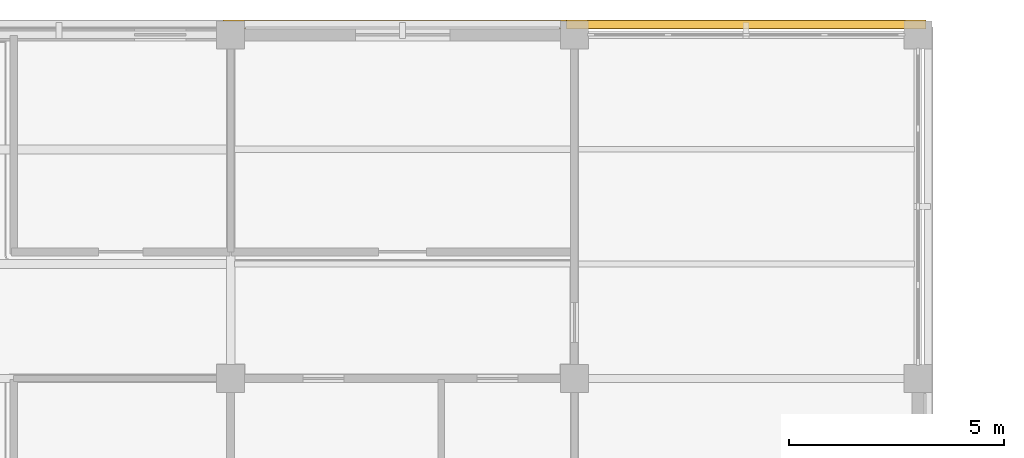
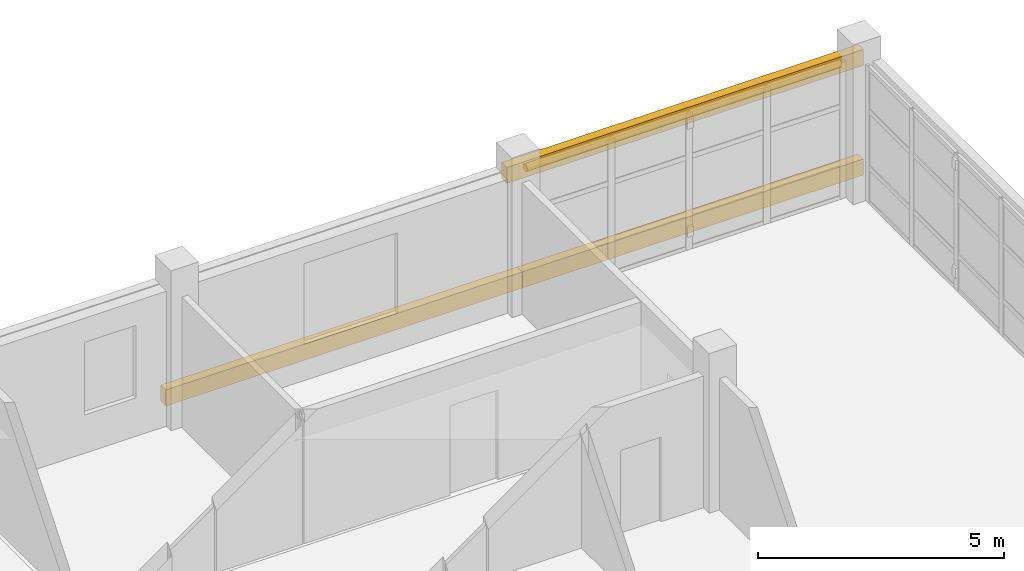
# One storey, part 91 of 92: 3 coverings, 1 shading device.
"""IFC4 building model written with IfcOpenShell, lengths in metres."""

from ifc_helpers import new_model, si_unit, derived_unit, direction, frame, origin, origin_2d, place, context, subcontext, project, spatial, rectangle, circle, extrude, material, layer, layer_set, material_profile, profile_set, type_object, element, save


model = new_model("IFC4")

# Units and contexts
model_context = context("Model", 3, precision=1e-05, world=origin(), true_north=direction((0.0, 1.0)))
body_context = subcontext(model_context, "Body", "Model", "MODEL_VIEW")
ifc_project = project(units=[si_unit("LENGTHUNIT", "METRE"), si_unit("AREAUNIT", "SQUARE_METRE"), si_unit("VOLUMEUNIT", "CUBIC_METRE"), si_unit("PLANEANGLEUNIT", "RADIAN"), si_unit("MASSUNIT", "GRAM", prefix="KILO"), derived_unit("THERMALTRANSMITTANCEUNIT", [(si_unit("MASSUNIT", "GRAM", prefix="KILO"), 1), (si_unit("TIMEUNIT", "SECOND"), -3), (si_unit("THERMODYNAMICTEMPERATUREUNIT", "KELVIN"), -1)])], contexts=[model_context])

# Site, building, storey
site_placement = place(None, origin())
site = spatial("IfcSite", under=ifc_project, at=site_placement, CompositionType="ELEMENT")
building_placement = place(site_placement, origin())
building = spatial("IfcBuilding", under=site, at=building_placement, Name="Veyamyaing Civic Hall", CompositionType="ELEMENT")
storey_placement = place(building_placement, frame((0.0, 0.0, 17.820068359375)))
storey = spatial("IfcBuildingStorey", under=building, at=storey_placement, Name="L04", CompositionType="ELEMENT", Elevation=17.820068359375)

# Coverings
ifc_material = material(Name="White powder-coated aluminium 6063-T6", Category="aluminium")
ifc_layer = layer(ifc_material, 0.2099609375, Name="White powder-coated aluminium 6063-T6")
ifc_layer_set = layer_set([ifc_layer], Name="White powder-coated aluminium 6063-T6")
covering_type = type_object("IfcCoveringType", Name="CL-03", PredefinedType="CLADDING", material=ifc_layer_set)
for number, where, z_axis, x_axis, name in (
    (1, (164.0, 112.239990234375, 0.280029296875), (0.0, 0.0, 1.0), (1.0, 0.0, 0.0), "Continuous white sill fascia ribbon CL-03 L04 N 21.14"),
    (2, (172.0, 112.239990234375, 2.9970703125), (0.0, 0.0, 1.0), (1.0, 0.0, 0.0), "Continuous white head fascia ribbon CL-03 L04 N 22.14"),
    (3, (172.0, 112.239990234375, 0.280029296875), (0.0, 0.0, 1.0), (1.0, 0.0, 0.0), "Continuous white sill fascia ribbon CL-03 L04 N 22.14"),
):
    element("IfcCovering", number, at=place(storey_placement, frame(where, z_axis=z_axis, x_axis=x_axis)), inside=storey, type_object=covering_type, Name=name, PredefinedType="CLADDING", context=body_context, shape_type="SweptSolid", body=[
        extrude(rectangle(XDim=8.360107421875, YDim=0.2099609375, at=origin_2d()), origin(), (0.0, 0.0, 1.0), 0.39990234375),
    ])

# Shading device
ifc_material_profile = material_profile(ifc_material, circle(Radius=0.090087890625, at=origin_2d()), Name="SHADE-TUBE-180")
ifc_profile_set = profile_set([ifc_material_profile], Name="White powder-coated aluminium 6063-T6")
shading_device_type = type_object("IfcShadingDeviceType", Name="SH-02", PredefinedType="USERDEFINED", material=ifc_profile_set)
shading_device_placement = place(storey_placement, frame((168.31005859375, 112.239990234375, 3.156982421875), z_axis=(1.0, 0.0, 0.0), x_axis=(0.0, 1.0, 0.0)))
element("IfcShadingDevice", 4, at=shading_device_placement, inside=storey, type_object=shading_device_type, Name="Horizontal white sunshade ribbon SH-02 L04 N 22.14", ObjectType="SUNSHADE", PredefinedType="USERDEFINED", context=body_context, shape_type="SweptSolid", body=[
    extrude(circle(Radius=0.090087890625, at=origin_2d()), origin(), (0.0, 0.0, 1.0), 7.3798828125),
])

save(model, "model.ifc")
